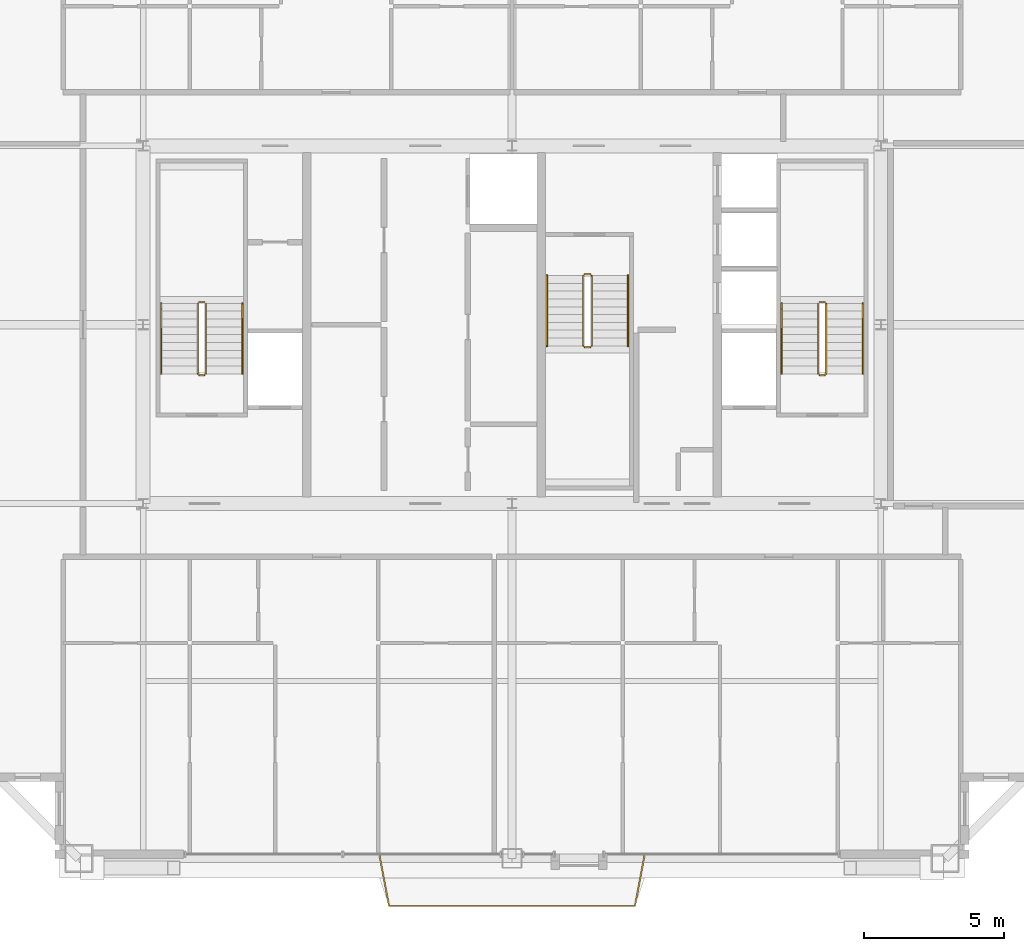
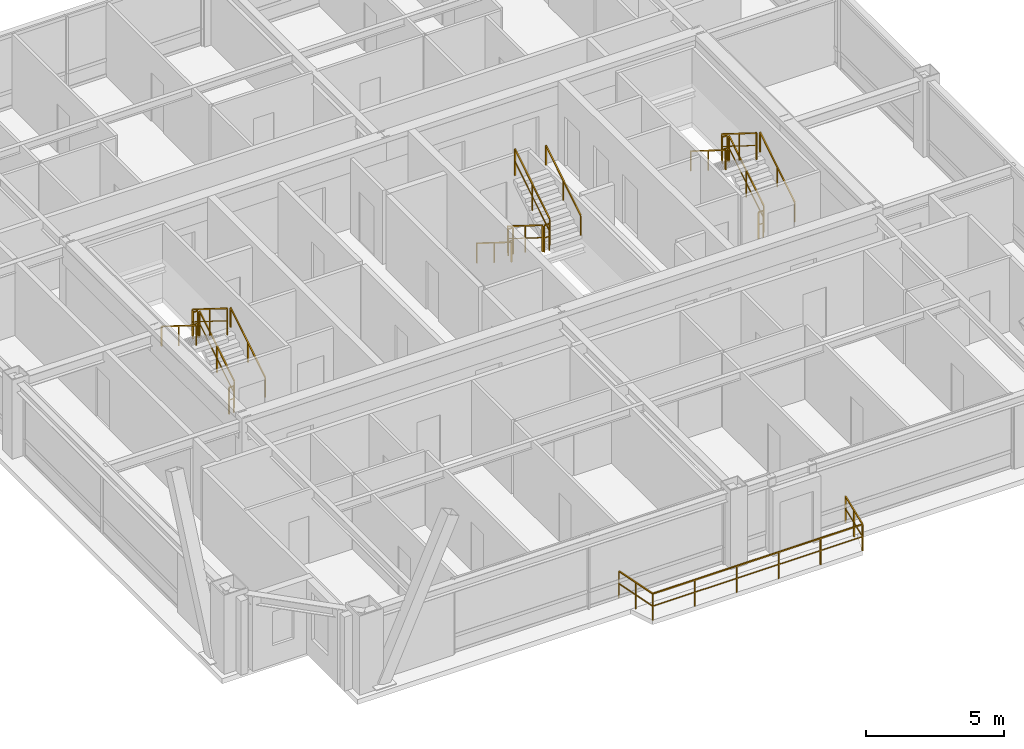
# One storey, part 35 of 35: 19 railings.
"""IFC4 building model written with IfcOpenShell, lengths in metres."""

from ifc_helpers import new_model, si_unit, direction, frame, origin, origin_2d, place, context, subcontext, project, spatial, rectangle, extrude, source, transform, mapped, material, layer, layer_set, type_object, element, save


model = new_model("IFC4")

# Units and contexts
model_context = context("Model", 3, precision=1e-05, world=origin(), true_north=direction((0.0, 1.0)))
body_context = subcontext(model_context, "Body", "Model", "MODEL_VIEW")
ifc_project = project(units=[si_unit("LENGTHUNIT", "METRE"), si_unit("AREAUNIT", "SQUARE_METRE"), si_unit("VOLUMEUNIT", "CUBIC_METRE"), si_unit("PLANEANGLEUNIT", "RADIAN"), si_unit("MASSUNIT", "GRAM", prefix="KILO"), si_unit("THERMODYNAMICTEMPERATUREUNIT", "KELVIN"), si_unit("POWERUNIT", "WATT")], contexts=[model_context])

# Site, building, storey
site_placement = place(None, origin())
site = spatial("IfcSite", under=ifc_project, at=site_placement, CompositionType="ELEMENT")
building_placement = place(site_placement, origin())
building = spatial("IfcBuilding", under=site, at=building_placement, Name="Yuzanri Waterfront Tower", CompositionType="ELEMENT")
storey_placement = place(building_placement, frame((0.0, 0.0, 299.60009765625)))
storey = spatial("IfcBuildingStorey", under=building, at=storey_placement, Name="L80", CompositionType="ELEMENT", Elevation=299.60009765625)

# Railings
ifc_material_1 = material(Name="Anodized Architectural Bronze", Category="metal")
ifc_layer_1 = layer(ifc_material_1, 0.080078125)
ifc_layer_set_1 = layer_set([ifc_layer_1], Name="Anodized Architectural Bronze")
railing_type_1 = type_object("IfcRailingType", Name="Laminated Glass and Bronze Balcony Guardrail 1200", PredefinedType="BALUSTRADE", material=ifc_layer_set_1)
shared_shape_1 = source(origin(), body_context, "Body", "SweptSolid", [
    extrude(rectangle(XDim=0.050048828125, YDim=0.050048828125, at=origin_2d()), frame((0.0, 0.0, 1.1748046875), z_axis=(0.185554022709, -0.98263406447, 0.0), x_axis=(0.98263406447, 0.185554022709, 0.0)), (0.0, 0.0, 1.0), 1.88671875),
    extrude(rectangle(XDim=0.035888671875, YDim=0.030029296875, at=origin_2d()), frame((0.0, 0.0, 0.6240234375), z_axis=(0.185554022709, -0.98263406447, 0.0), x_axis=(0.98263406447, 0.185554022709, 0.0)), (0.0, 0.0, 1.0), 1.88671875),
    extrude(rectangle(XDim=0.050048828125, YDim=0.050048828125, at=origin_2d()), frame((0.35009765625, -1.85400390625, 1.1748046875), z_axis=(1.0, 0.0, 0.0), x_axis=(0.0, 1.0, 0.0)), (0.0, 0.0, 1.0), 8.798828125),
    extrude(rectangle(XDim=0.035888671875, YDim=0.030029296875, at=origin_2d()), frame((0.35009765625, -1.85400390625, 0.6240234375), z_axis=(1.0, 0.0, 0.0), x_axis=(0.0, 1.0, 0.0)), (0.0, 0.0, 1.0), 8.798828125),
    extrude(rectangle(XDim=0.050048828125, YDim=0.050048828125, at=origin_2d()), frame((9.14892578125, -1.85400390625, 1.1748046875), z_axis=(0.185554022709, 0.98263406447, 0.0), x_axis=(-0.98263406447, 0.185554022709, 0.0)), (0.0, 0.0, 1.0), 1.88671875),
    extrude(rectangle(XDim=0.035888671875, YDim=0.030029296875, at=origin_2d()), frame((9.14892578125, -1.85400390625, 0.6240234375), z_axis=(0.185554022709, 0.98263406447, 0.0), x_axis=(-0.98263406447, 0.185554022709, 0.0)), (0.0, 0.0, 1.0), 1.88671875),
    extrude(rectangle(XDim=0.0458984375, YDim=0.0458984375, at=origin_2d()), origin(), (0.0, 0.0, 1.0), 1.14990234375),
    extrude(rectangle(XDim=0.0458984375, YDim=0.0458984375, at=origin_2d()), frame((0.175048828125, -0.927001953125, 0.0)), (0.0, 0.0, 1.0), 1.14990234375),
    extrude(rectangle(XDim=0.0458984375, YDim=0.0458984375, at=origin_2d()), frame((0.35009765625, -1.85400390625, 0.0)), (0.0, 0.0, 1.0), 1.14990234375),
    extrude(rectangle(XDim=0.0458984375, YDim=0.0458984375, at=origin_2d()), frame((2.10986328125, -1.85400390625, 0.0)), (0.0, 0.0, 1.0), 1.14990234375),
    extrude(rectangle(XDim=0.0458984375, YDim=0.0458984375, at=origin_2d()), frame((3.86962890625, -1.85400390625, 0.0)), (0.0, 0.0, 1.0), 1.14990234375),
    extrude(rectangle(XDim=0.0458984375, YDim=0.0458984375, at=origin_2d()), frame((5.62939453125, -1.85400390625, 0.0)), (0.0, 0.0, 1.0), 1.14990234375),
    extrude(rectangle(XDim=0.0458984375, YDim=0.0458984375, at=origin_2d()), frame((7.38916015625, -1.85400390625, 0.0)), (0.0, 0.0, 1.0), 1.14990234375),
    extrude(rectangle(XDim=0.0458984375, YDim=0.0458984375, at=origin_2d()), frame((9.14892578125, -1.85400390625, 0.0)), (0.0, 0.0, 1.0), 1.14990234375),
    extrude(rectangle(XDim=0.0458984375, YDim=0.0458984375, at=origin_2d()), frame((9.323974609375, -0.927001953125, 0.0)), (0.0, 0.0, 1.0), 1.14990234375),
    extrude(rectangle(XDim=0.0458984375, YDim=0.0458984375, at=origin_2d()), frame((9.4990234375, 0.0, 0.0)), (0.0, 0.0, 1.0), 1.14990234375),
])
railing_placement = place(storey_placement, frame((32.25048828125, 6.85009765625, 0.0)))
element("IfcRailing", 1, at=railing_placement, inside=storey, type_object=railing_type_1, Name="L80 S Engawa Terrace Guardrail", PredefinedType="BALUSTRADE", context=body_context, shape_type="MappedRepresentation", body=[
    mapped(shared_shape_1, transform((0.0, 0.0, 0.0), scale=1.0)),
])
ifc_material_2 = material(Name="Painted Galvanized Fire Steel", Category="steel")
ifc_layer_2 = layer(ifc_material_2, 0.06005859375)
ifc_layer_set_2 = layer_set([ifc_layer_2], Name="Painted Galvanized Fire Steel")
railing_type_2 = type_object("IfcRailingType", Name="Painted Steel Stairwell Guardrail 1120", PredefinedType="GUARDRAIL", material=ifc_layer_set_2)
shared_shape_2 = source(origin(), body_context, "Body", "SweptSolid", [
    extrude(rectangle(XDim=0.050048828125, YDim=0.050048828125, at=origin_2d()), frame((0.0, 0.0, 1.1748046875), z_axis=(-1.0, 0.0, 0.0), x_axis=(0.0, -1.0, 0.0)), (0.0, 0.0, 1.0), 0.199951171875),
    extrude(rectangle(XDim=0.035888671875, YDim=0.030029296875, at=origin_2d()), frame((0.0, 0.0, 0.6240234375), z_axis=(-1.0, 0.0, 0.0), x_axis=(0.0, -1.0, 0.0)), (0.0, 0.0, 1.0), 0.199951171875),
    extrude(rectangle(XDim=0.0458984375, YDim=0.0458984375, at=origin_2d()), origin(), (0.0, 0.0, 1.0), 1.14990234375),
    extrude(rectangle(XDim=0.0458984375, YDim=0.0458984375, at=origin_2d()), frame((-0.199951171875, 0.0, 0.0)), (0.0, 0.0, 1.0), 1.14990234375),
])
for number, where, name in (
    (2, (26.0, 26.610107421875, 1.75), "L80 ST-01 stair guard 2"),
    (3, (26.0, 23.989990234375, 0.0), "L80 ST-01 stair guard 4"),
    (4, (48.199951171875, 26.610107421875, 1.75), "L80 ST-02 stair guard 2"),
    (5, (48.199951171875, 23.989990234375, 0.0), "L80 ST-02 stair guard 4"),
):
    element("IfcRailing", number, at=place(storey_placement, frame(where)), inside=storey, type_object=railing_type_2, Name=name, PredefinedType="GUARDRAIL", context=body_context, shape_type="MappedRepresentation", body=[
        mapped(shared_shape_2, transform((0.0, 0.0, 0.0), scale=1.0)),
    ])
shared_shape_3 = source(origin(), body_context, "Body", "SweptSolid", [
    extrude(rectangle(XDim=0.050048828125, YDim=0.050048828125, at=origin_2d()), frame((0.0, 0.0, 1.1748046875), z_axis=(0.0, 0.847970611238, 0.530043245855), x_axis=(-1.0, 0.0, 0.0)), (0.0, 0.0, 1.0), 2.971923828125),
    extrude(rectangle(XDim=0.035888671875, YDim=0.030029296875, at=origin_2d()), frame((0.0, 0.0, 0.6240234375), z_axis=(0.0, 0.847970611238, 0.530043245855), x_axis=(-1.0, 0.0, 0.0)), (0.0, 0.0, 1.0), 2.971923828125),
    extrude(rectangle(XDim=0.0458984375, YDim=0.0458984375, at=origin_2d()), origin(), (0.0, 0.0, 1.0), 1.14990234375),
    extrude(rectangle(XDim=0.0458984375, YDim=0.0458984375, at=origin_2d()), frame((0.0, 1.260009765625, 0.78759765625)), (0.0, 0.0, 1.0), 1.14990234375),
    extrude(rectangle(XDim=0.0458984375, YDim=0.0458984375, at=origin_2d()), frame((0.0, 2.52001953125, 1.5751953125)), (0.0, 0.0, 1.0), 1.14990234375),
])
for number, where, name in (
    (6, (26.050048828125, 24.0400390625, 0.1748046875), "L80 ST-01 stair guard 1"),
    (7, (48.25, 24.0400390625, 0.1748046875), "L80 ST-02 stair guard 1"),
    (8, (39.85009765625, 25.0400390625, 1.9248046875), "L80 ST-03 stair guard 3"),
):
    element("IfcRailing", number, at=place(storey_placement, frame(where)), inside=storey, type_object=railing_type_2, Name=name, PredefinedType="GUARDRAIL", context=body_context, shape_type="MappedRepresentation", body=[
        mapped(shared_shape_3, transform((0.0, 0.0, 0.0), scale=1.0)),
    ])
shared_shape_4 = source(origin(), body_context, "Body", "SweptSolid", [
    extrude(rectangle(XDim=0.050048828125, YDim=0.050048828125, at=origin_2d()), frame((0.0, 0.0, 1.1748046875), z_axis=(0.0, -0.847970611238, 0.530043245855), x_axis=(1.0, 0.0, 0.0)), (0.0, 0.0, 1.0), 2.971923828125),
    extrude(rectangle(XDim=0.035888671875, YDim=0.030029296875, at=origin_2d()), frame((0.0, 0.0, 0.6240234375), z_axis=(0.0, -0.847970611238, 0.530043245855), x_axis=(1.0, 0.0, 0.0)), (0.0, 0.0, 1.0), 2.971923828125),
    extrude(rectangle(XDim=0.0458984375, YDim=0.0458984375, at=origin_2d()), origin(), (0.0, 0.0, 1.0), 1.14990234375),
    extrude(rectangle(XDim=0.0458984375, YDim=0.0458984375, at=origin_2d()), frame((0.0, -1.260009765625, 0.78759765625)), (0.0, 0.0, 1.0), 1.14990234375),
    extrude(rectangle(XDim=0.0458984375, YDim=0.0458984375, at=origin_2d()), frame((0.0, -2.52001953125, 1.5751953125)), (0.0, 0.0, 1.0), 1.14990234375),
])
for number, where, name in (
    (9, (25.75, 26.56005859375, 1.9248046875), "L80 ST-01 stair guard 3"),
    (10, (47.949951171875, 26.56005859375, 1.9248046875), "L80 ST-02 stair guard 3"),
    (11, (39.550048828125, 27.56005859375, 0.1748046875), "L80 ST-03 stair guard 1"),
):
    element("IfcRailing", number, at=place(storey_placement, frame(where)), inside=storey, type_object=railing_type_2, Name=name, PredefinedType="GUARDRAIL", context=body_context, shape_type="MappedRepresentation", body=[
        mapped(shared_shape_4, transform((0.0, 0.0, 0.0), scale=1.0)),
    ])
ifc_material_3 = material(Name="Anodized Architectural Bronze", Category="metal")
ifc_layer_3 = layer(ifc_material_3, 0.050048828125)
ifc_layer_set_3 = layer_set([ifc_layer_3], Name="Anodized Architectural Bronze")
railing_type_3 = type_object("IfcRailingType", Name="Brushed Bronze Stair Pitch Handrail 920", PredefinedType="HANDRAIL", material=ifc_layer_set_3)
shared_shape_5 = source(origin(), body_context, "Body", "SweptSolid", [
    extrude(rectangle(XDim=0.050048828125, YDim=0.050048828125, at=origin_2d()), frame((0.0, 0.0, 0.875), z_axis=(0.0, 0.847970611238, 0.530043245855), x_axis=(-1.0, 0.0, 0.0)), (0.0, 0.0, 1.0), 2.971923828125),
    extrude(rectangle(XDim=0.0458984375, YDim=0.0458984375, at=origin_2d()), origin(), (0.0, 0.0, 1.0), 0.849853515625),
    extrude(rectangle(XDim=0.0458984375, YDim=0.0458984375, at=origin_2d()), frame((0.0, 1.260009765625, 0.78759765625)), (0.0, 0.0, 1.0), 0.849853515625),
    extrude(rectangle(XDim=0.0458984375, YDim=0.0458984375, at=origin_2d()), frame((0.0, 2.52001953125, 1.5751953125)), (0.0, 0.0, 1.0), 0.849853515625),
])
for number, where, name in (
    (12, (27.35009765625, 24.0400390625, 0.1748046875), "L80 ST-01 stair handrail 1"),
    (13, (49.550048828125, 24.0400390625, 0.1748046875), "L80 ST-02 stair handrail 1"),
    (14, (41.14990234375, 25.0400390625, 1.9248046875), "L80 ST-03 stair handrail 2"),
):
    element("IfcRailing", number, at=place(storey_placement, frame(where)), inside=storey, type_object=railing_type_3, Name=name, PredefinedType="HANDRAIL", context=body_context, shape_type="MappedRepresentation", body=[
        mapped(shared_shape_5, transform((0.0, 0.0, 0.0), scale=1.0)),
    ])
shared_shape_6 = source(origin(), body_context, "Body", "SweptSolid", [
    extrude(rectangle(XDim=0.050048828125, YDim=0.050048828125, at=origin_2d()), frame((0.0, 0.0, 0.875), z_axis=(0.0, -0.847970611238, 0.530043245855), x_axis=(1.0, 0.0, 0.0)), (0.0, 0.0, 1.0), 2.971923828125),
    extrude(rectangle(XDim=0.0458984375, YDim=0.0458984375, at=origin_2d()), origin(), (0.0, 0.0, 1.0), 0.849853515625),
    extrude(rectangle(XDim=0.0458984375, YDim=0.0458984375, at=origin_2d()), frame((0.0, -1.260009765625, 0.78759765625)), (0.0, 0.0, 1.0), 0.849853515625),
    extrude(rectangle(XDim=0.0458984375, YDim=0.0458984375, at=origin_2d()), frame((0.0, -2.52001953125, 1.5751953125)), (0.0, 0.0, 1.0), 0.849853515625),
])
for number, where, name in (
    (15, (24.449951171875, 26.56005859375, 1.9248046875), "L80 ST-01 stair handrail 2"),
    (16, (46.64990234375, 26.56005859375, 1.9248046875), "L80 ST-02 stair handrail 2"),
    (17, (38.25, 27.56005859375, 0.1748046875), "L80 ST-03 stair handrail 1"),
):
    element("IfcRailing", number, at=place(storey_placement, frame(where)), inside=storey, type_object=railing_type_3, Name=name, PredefinedType="HANDRAIL", context=body_context, shape_type="MappedRepresentation", body=[
        mapped(shared_shape_6, transform((0.0, 0.0, 0.0), scale=1.0)),
    ])
shared_shape_7 = source(origin(), body_context, "Body", "SweptSolid", [
    extrude(rectangle(XDim=0.050048828125, YDim=0.050048828125, at=origin_2d()), frame((0.0, 0.0, 1.1748046875), z_axis=(1.0, 0.0, 0.0), x_axis=(0.0, 1.0, 0.0)), (0.0, 0.0, 1.0), 0.199951171875),
    extrude(rectangle(XDim=0.035888671875, YDim=0.030029296875, at=origin_2d()), frame((0.0, 0.0, 0.6240234375), z_axis=(1.0, 0.0, 0.0), x_axis=(0.0, 1.0, 0.0)), (0.0, 0.0, 1.0), 0.199951171875),
    extrude(rectangle(XDim=0.0458984375, YDim=0.0458984375, at=origin_2d()), origin(), (0.0, 0.0, 1.0), 1.14990234375),
    extrude(rectangle(XDim=0.0458984375, YDim=0.0458984375, at=origin_2d()), frame((0.199951171875, 0.0, 0.0)), (0.0, 0.0, 1.0), 1.14990234375),
])
for number, where, name in (
    (18, (39.60009765625, 24.989990234375, 1.75), "L80 ST-03 stair guard 2"),
    (19, (39.60009765625, 27.610107421875, 0.0), "L80 ST-03 stair guard 4"),
):
    element("IfcRailing", number, at=place(storey_placement, frame(where)), inside=storey, type_object=railing_type_2, Name=name, PredefinedType="GUARDRAIL", context=body_context, shape_type="MappedRepresentation", body=[
        mapped(shared_shape_7, transform((0.0, 0.0, 0.0), scale=1.0)),
    ])

save(model, "model.ifc")
